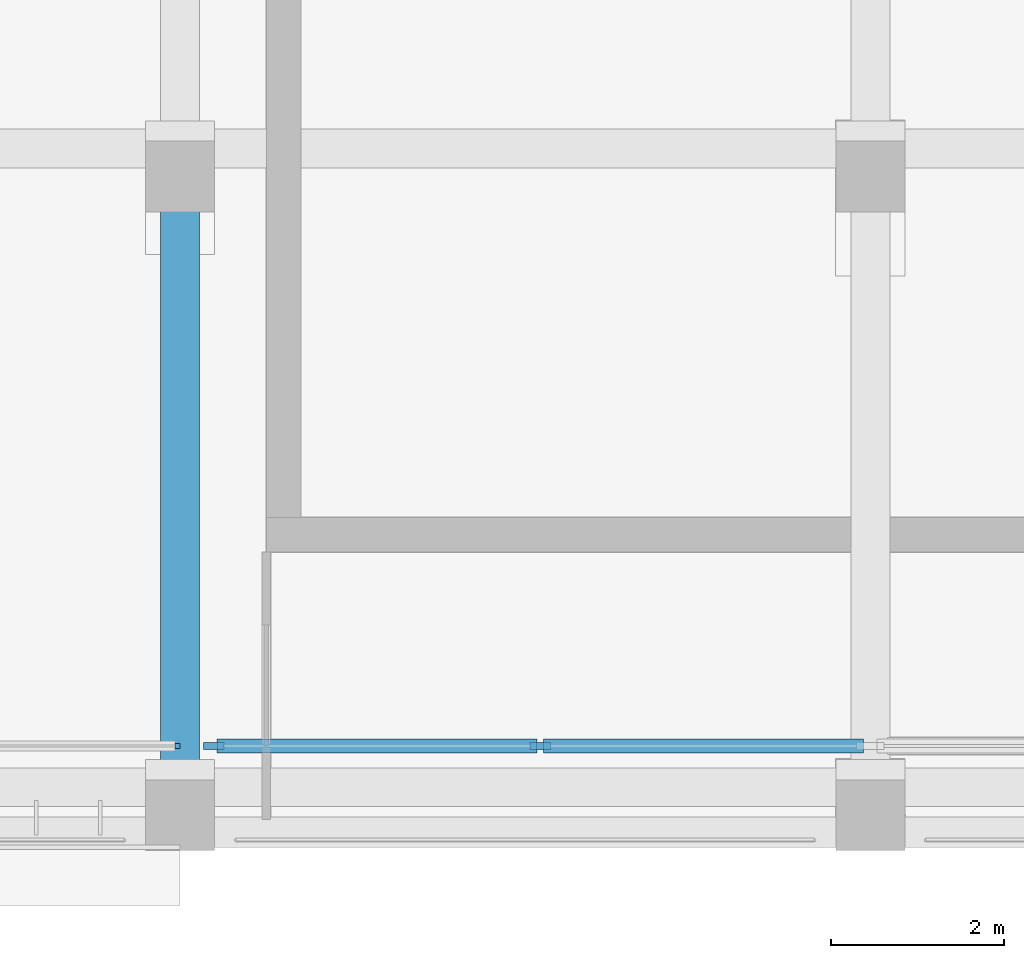
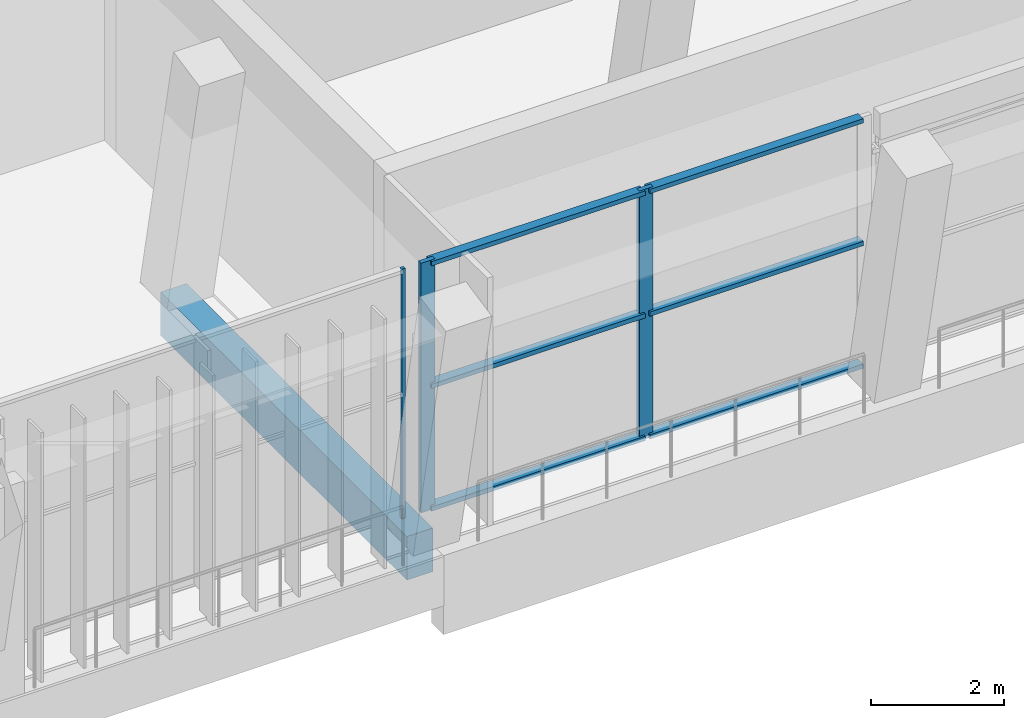
# One storey, part 14 of 89: 9 members, 1 beam, 2 elements without a shape of their own.
"""IFC4 building model written with IfcOpenShell, lengths in metres."""

from ifc_helpers import new_model, si_unit, direction, frame, origin, origin_2d, place, context, subcontext, project, spatial, rectangle, extrude, material, material_profile, profile_set, type_object, element, aggregate, save


model = new_model("IFC4")

# Units and contexts
model_context = context("Model", 3, precision=1e-05, world=origin(), true_north=direction((0.0, 1.0)))
body_context = subcontext(model_context, "Body", "Model", "MODEL_VIEW")
ifc_project = project(units=[si_unit("LENGTHUNIT", "METRE"), si_unit("AREAUNIT", "SQUARE_METRE"), si_unit("VOLUMEUNIT", "CUBIC_METRE"), si_unit("PLANEANGLEUNIT", "RADIAN"), si_unit("MASSUNIT", "GRAM", prefix="KILO")], contexts=[model_context])

# Site, building, storey
site_placement = place(None, origin())
site = spatial("IfcSite", under=ifc_project, at=site_placement, CompositionType="ELEMENT")
building_placement = place(site_placement, origin())
building = spatial("IfcBuilding", under=site, at=building_placement, Name="Lantern Court Media Centre", CompositionType="ELEMENT")
storey_placement = place(building_placement, frame((0.0, 0.0, 14.39990234375)))
storey = spatial("IfcBuildingStorey", under=building, at=storey_placement, Name="L03", CompositionType="ELEMENT", Elevation=14.39990234375)

# Curtain wall, member
ifc_material_1 = material(Name="Curtain wall bay 3000")
curtain_wall_type_1 = type_object("IfcCurtainWallType", Name="Curtain wall bay 3000", PredefinedType="NOTDEFINED", material=ifc_material_1)
curtain_wall_1_placement = place(storey_placement, origin())
curtain_wall_1 = element("IfcCurtainWall", 1, at=curtain_wall_1_placement, inside=storey, type_object=curtain_wall_type_1, Name="Curtain wall S outer L03", PredefinedType="NOTDEFINED")
ifc_material_2 = material(Name="Anodised aluminium", Category="aluminium")
ifc_material_profile_1 = material_profile(ifc_material_2, rectangle(XDim=0.06005859375, YDim=0.06005859375, at=origin_2d()), Name="AL 60x60")
ifc_profile_set_1 = profile_set([ifc_material_profile_1], Name="Anodised aluminium")
member_type_1 = type_object("IfcMemberType", Name="Curtain wall mullion 60x60", PredefinedType="MULLION", material=ifc_profile_set_1)
member_1_placement = place(storey_placement, frame((39.969970703125, 46.14990234375, 0.0), z_axis=(0.0, 0.0, 1.0), x_axis=(0.0, 1.0, 0.0)))
member_1 = element("IfcMember", 2, at=member_1_placement, type_object=member_type_1, Name="CW1 mullion 3", PredefinedType="MULLION", context=body_context, shape_type="SweptSolid", body=[
    extrude(rectangle(XDim=0.06005859375, YDim=0.06005859375, at=origin_2d()), origin(), (0.0, 0.0, 1.0), 4.580078125),
])
aggregate(curtain_wall_1, [member_1])

# Curtain wall, members
ifc_material_3 = material(Name="Curtain wall bay 4000")
curtain_wall_type_2 = type_object("IfcCurtainWallType", Name="Curtain wall bay 4000", PredefinedType="NOTDEFINED", material=ifc_material_3)
curtain_wall_2_placement = place(storey_placement, origin())
curtain_wall_2 = element("IfcCurtainWall", 3, at=curtain_wall_2_placement, inside=storey, type_object=curtain_wall_type_2, Name="Curtain wall S outer L03", PredefinedType="NOTDEFINED")
ifc_material_profile_2 = material_profile(ifc_material_2, rectangle(XDim=0.080078125, YDim=0.239990234375, at=origin_2d()), Name="AL 80x240")
ifc_profile_set_2 = profile_set([ifc_material_profile_2], Name="Anodised aluminium")
member_type_2 = type_object("IfcMemberType", Name="Curtain wall mullion 80x240", PredefinedType="MULLION", material=ifc_profile_set_2)
member_2_placement = place(storey_placement, frame((40.389892578125, 46.14990234375, 0.0), z_axis=(0.0, 0.0, 1.0), x_axis=(0.0, 1.0, 0.0)))
member_2 = element("IfcMember", 4, at=member_2_placement, type_object=member_type_2, Name="CW3 mullion 1", PredefinedType="MULLION", context=body_context, shape_type="SweptSolid", body=[
    extrude(rectangle(XDim=0.080078125, YDim=0.239990234375, at=origin_2d()), origin(), (0.0, 0.0, 1.0), 4.580078125),
])
member_3_placement = place(storey_placement, frame((44.175048828125, 46.14990234375, 0.0), z_axis=(0.0, 0.0, 1.0), x_axis=(0.0, 1.0, 0.0)))
member_3 = element("IfcMember", 5, at=member_3_placement, type_object=member_type_2, Name="CW3 mullion 2", PredefinedType="MULLION", context=body_context, shape_type="SweptSolid", body=[
    extrude(rectangle(XDim=0.080078125, YDim=0.239990234375, at=origin_2d()), origin(), (0.0, 0.0, 1.0), 4.580078125),
])
ifc_material_profile_3 = material_profile(ifc_material_2, rectangle(XDim=0.159912109375, YDim=0.080078125, at=origin_2d()), Name="AL 80x160")
ifc_profile_set_3 = profile_set([ifc_material_profile_3], Name="Anodised aluminium")
member_type_3 = type_object("IfcMemberType", Name="Curtain wall transom 160x80", PredefinedType="USERDEFINED", material=ifc_profile_set_3)
member_4_placement = place(storey_placement, frame((40.429931640625, 46.14990234375, 0.0400390625), z_axis=(1.0, 0.0, 0.0), x_axis=(0.0, 1.0, 0.0)))
member_4 = element("IfcMember", 6, at=member_4_placement, type_object=member_type_3, Name="CW3 transom 1.1", ObjectType="TRANSOM", PredefinedType="USERDEFINED", context=body_context, shape_type="SweptSolid", body=[
    extrude(rectangle(XDim=0.159912109375, YDim=0.080078125, at=origin_2d()), origin(), (0.0, 0.0, 1.0), 3.705078125),
])
member_5_placement = place(storey_placement, frame((40.429931640625, 46.14990234375, 2.2900390625), z_axis=(1.0, 0.0, 0.0), x_axis=(0.0, 1.0, 0.0)))
member_5 = element("IfcMember", 7, at=member_5_placement, type_object=member_type_3, Name="CW3 transom 1.2", ObjectType="TRANSOM", PredefinedType="USERDEFINED", context=body_context, shape_type="SweptSolid", body=[
    extrude(rectangle(XDim=0.159912109375, YDim=0.080078125, at=origin_2d()), origin(), (0.0, 0.0, 1.0), 3.705078125),
])
member_6_placement = place(storey_placement, frame((40.429931640625, 46.14990234375, 4.5400390625), z_axis=(1.0, 0.0, 0.0), x_axis=(0.0, 1.0, 0.0)))
member_6 = element("IfcMember", 8, at=member_6_placement, type_object=member_type_3, Name="CW3 transom 1.3", ObjectType="TRANSOM", PredefinedType="USERDEFINED", context=body_context, shape_type="SweptSolid", body=[
    extrude(rectangle(XDim=0.159912109375, YDim=0.080078125, at=origin_2d()), origin(), (0.0, 0.0, 1.0), 3.705078125),
])
member_7_placement = place(storey_placement, frame((44.215087890625, 46.14990234375, 0.0400390625), z_axis=(1.0, 0.0, 0.0), x_axis=(0.0, 1.0, 0.0)))
member_7 = element("IfcMember", 9, at=member_7_placement, type_object=member_type_3, Name="CW3 transom 2.1", ObjectType="TRANSOM", PredefinedType="USERDEFINED", context=body_context, shape_type="SweptSolid", body=[
    extrude(rectangle(XDim=0.159912109375, YDim=0.080078125, at=origin_2d()), origin(), (0.0, 0.0, 1.0), 3.704833984375),
])
member_8_placement = place(storey_placement, frame((44.215087890625, 46.14990234375, 2.2900390625), z_axis=(1.0, 0.0, 0.0), x_axis=(0.0, 1.0, 0.0)))
member_8 = element("IfcMember", 10, at=member_8_placement, type_object=member_type_3, Name="CW3 transom 2.2", ObjectType="TRANSOM", PredefinedType="USERDEFINED", context=body_context, shape_type="SweptSolid", body=[
    extrude(rectangle(XDim=0.159912109375, YDim=0.080078125, at=origin_2d()), origin(), (0.0, 0.0, 1.0), 3.704833984375),
])
member_9_placement = place(storey_placement, frame((44.215087890625, 46.14990234375, 4.5400390625), z_axis=(1.0, 0.0, 0.0), x_axis=(0.0, 1.0, 0.0)))
member_9 = element("IfcMember", 11, at=member_9_placement, type_object=member_type_3, Name="CW3 transom 2.3", ObjectType="TRANSOM", PredefinedType="USERDEFINED", context=body_context, shape_type="SweptSolid", body=[
    extrude(rectangle(XDim=0.159912109375, YDim=0.080078125, at=origin_2d()), origin(), (0.0, 0.0, 1.0), 3.704833984375),
])
aggregate(curtain_wall_2, [member_2, member_3, member_4, member_5, member_6, member_7, member_8, member_9])

# Beam
ifc_material_4 = material(Name="Concrete C35", Category="concrete")
ifc_material_profile_4 = material_profile(ifc_material_4, rectangle(XDim=0.449951171875, YDim=0.800048828125, at=origin_2d()), Name="RC 450x800")
ifc_profile_set_4 = profile_set([ifc_material_profile_4], Name="Concrete C35")
beam_type = type_object("IfcBeamType", Name="RC BEAM 450x800", PredefinedType="BEAM", material=ifc_profile_set_4)
beam_placement = place(storey_placement, frame((40.0, 45.683349609375, -0.39990234375), z_axis=(0.0, 1.0, 0.0), x_axis=(-1.0, 0.0, 0.0)))
element("IfcBeam", 12, at=beam_placement, inside=storey, type_object=beam_type, Name="TB-S-L03-2-1", PredefinedType="BEAM", context=body_context, shape_type="SweptSolid", body=[
    extrude(rectangle(XDim=0.449951171875, YDim=0.800048828125, at=origin_2d()), origin(), (0.0, 0.0, 1.0), 7.39990234375),
])

save(model, "model.ifc")
